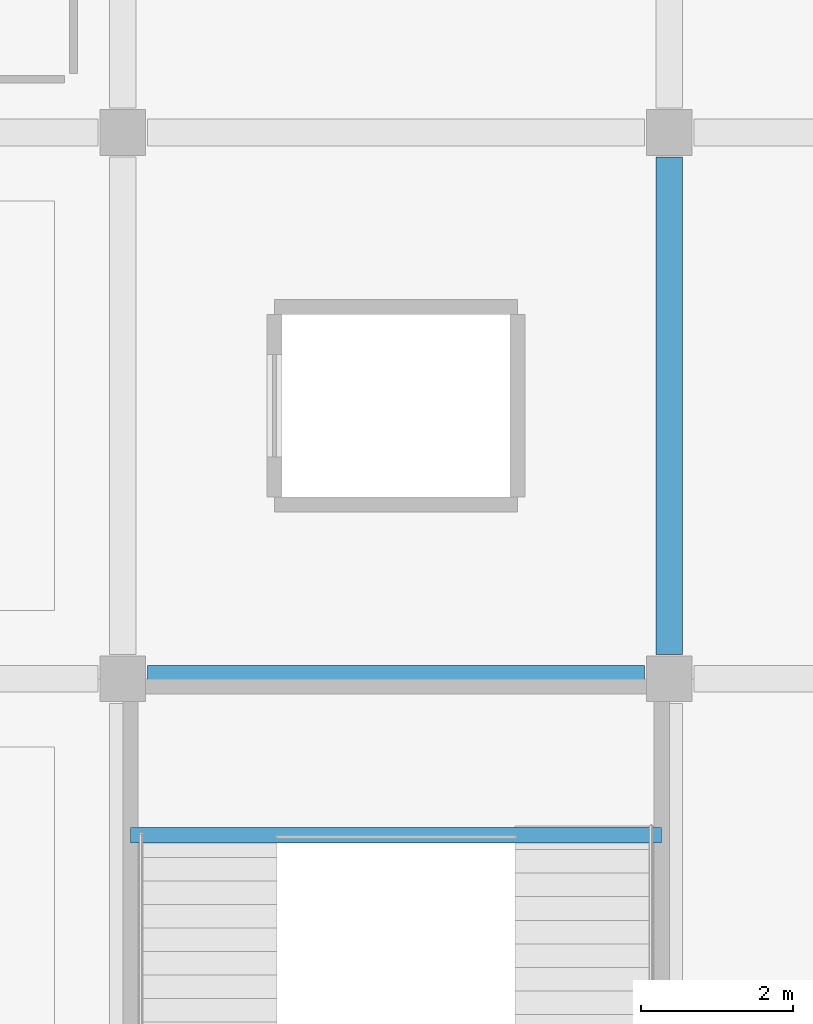
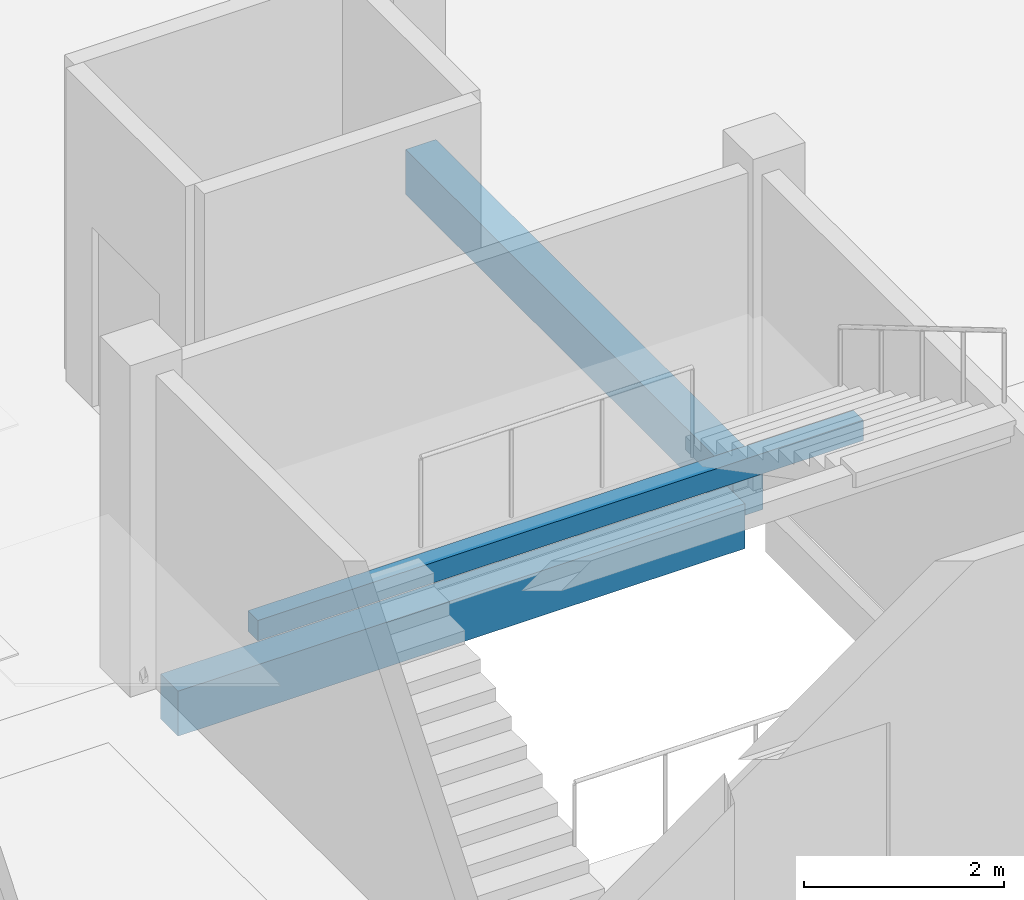
# One storey, part 19 of 59: 3 beams.
"""IFC4 building model written with IfcOpenShell, lengths in metres."""

from ifc_helpers import new_model, si_unit, direction, frame, origin, origin_2d, place, context, subcontext, project, spatial, rectangle, extrude, material, material_profile, profile_set, type_object, element, save


model = new_model("IFC4")

# Units and contexts
model_context = context("Model", 3, precision=1e-05, world=origin(), true_north=direction((0.0, 1.0)))
body_context = subcontext(model_context, "Body", "Model", "MODEL_VIEW")
ifc_project = project(units=[si_unit("LENGTHUNIT", "METRE"), si_unit("AREAUNIT", "SQUARE_METRE"), si_unit("VOLUMEUNIT", "CUBIC_METRE"), si_unit("PLANEANGLEUNIT", "RADIAN"), si_unit("MASSUNIT", "GRAM", prefix="KILO")], contexts=[model_context])

# Site, building, storey
site_placement = place(None, origin())
site = spatial("IfcSite", under=ifc_project, at=site_placement, CompositionType="ELEMENT")
building_placement = place(site_placement, origin())
building = spatial("IfcBuilding", under=site, at=building_placement, Name="Kangsadwip Square Police Headquarters", CompositionType="ELEMENT")
storey_placement = place(building_placement, frame((0.0, 0.0, 21.60009765625)))
storey = spatial("IfcBuildingStorey", under=building, at=storey_placement, Name="L05", CompositionType="ELEMENT", Elevation=21.60009765625)

# Beams
ifc_material_1 = material(Name="Concrete M35 (35 MPa)", Category="concrete")
ifc_material_profile_1 = material_profile(ifc_material_1, rectangle(XDim=0.35009765625, YDim=0.550048828125, at=origin_2d()), Name="RC BM 550X350")
ifc_profile_set_1 = profile_set([ifc_material_profile_1], Name="Concrete M35 (35 MPa)")
beam_type_1 = type_object("IfcBeamType", Name="RcBeam550x350", PredefinedType="BEAM", material=ifc_profile_set_1)
for number, where, z_axis, x_axis, name in (
    (1, (151.52490234375, 64.800048828125, -0.4951171875), (1.0, 0.0, 0.0), (0.0, 1.0, 0.0), "Beam BM-L05-X-21-09"),
    (2, (158.39990234375, 65.125, -0.4951171875), (0.0, 1.0, 0.0), (-1.0, 0.0, 0.0), "Beam BM-L05-Y-22-09"),
):
    element("IfcBeam", number, at=place(storey_placement, frame(where, z_axis=z_axis, x_axis=x_axis)), inside=storey, type_object=beam_type_1, Name=name, PredefinedType="BEAM", context=body_context, shape_type="SweptSolid", body=[
        extrude(rectangle(XDim=0.35009765625, YDim=0.550048828125, at=origin_2d()), origin(), (0.0, 0.0, 1.0), 6.550048828125),
    ])
ifc_material_2 = material(Name="Concrete M30 (30 MPa)", Category="concrete")
ifc_material_profile_2 = material_profile(ifc_material_2, rectangle(XDim=0.199951171875, YDim=0.25, at=origin_2d()), Name="RC LNT 250X200")
ifc_profile_set_2 = profile_set([ifc_material_profile_2], Name="Concrete M30 (30 MPa)")
beam_type_2 = type_object("IfcBeamType", Name="RcLintel250x200", PredefinedType="LINTEL", material=ifc_profile_set_2)
beam_placement = place(storey_placement, frame((151.300048828125, 62.739990234375, 1.80078125), z_axis=(1.0, 0.0, 0.0), x_axis=(0.0, 1.0, 0.0)))
element("IfcBeam", 3, at=beam_placement, inside=storey, type_object=beam_type_2, Name="Stair Carriage and Landing Beam BM-ST-L05-052", PredefinedType="BEAM", context=body_context, shape_type="SweptSolid", body=[
    extrude(rectangle(XDim=0.199951171875, YDim=0.25, at=origin_2d()), origin(), (0.0, 0.0, 1.0), 7.0),
])

save(model, "model.ifc")
